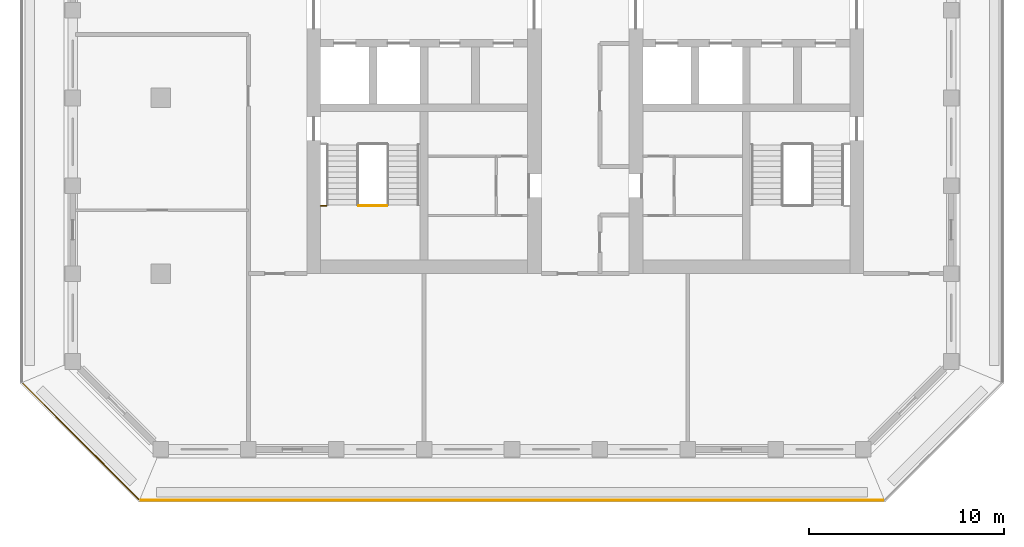
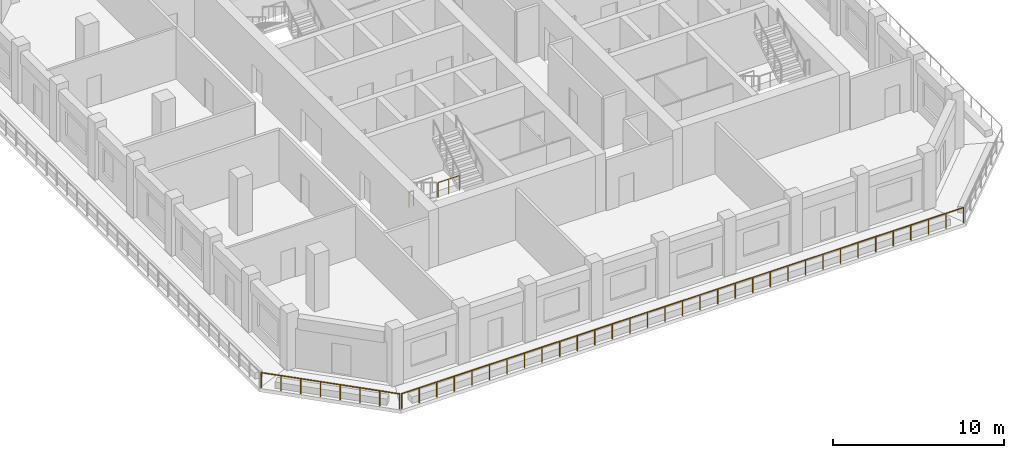
# One storey, part 8 of 14: 4 railings.
"""IFC4 building model written with IfcOpenShell, lengths in metres."""

from ifc_helpers import new_model, si_unit, direction, frame, origin, origin_2d, place, context, subcontext, project, spatial, circle, extrude, material, type_object, element, save


model = new_model("IFC4")

# Units and contexts
model_context = context("Model", 3, precision=1e-05, world=origin(), true_north=direction((0.0, 1.0)))
body_context = subcontext(model_context, "Body", "Model", "MODEL_VIEW")
ifc_project = project(units=[si_unit("LENGTHUNIT", "METRE"), si_unit("AREAUNIT", "SQUARE_METRE"), si_unit("VOLUMEUNIT", "CUBIC_METRE"), si_unit("PLANEANGLEUNIT", "RADIAN"), si_unit("MASSUNIT", "GRAM", prefix="KILO")], contexts=[model_context])

# Site, building, storey
site_placement = place(None, origin())
site = spatial("IfcSite", under=ifc_project, at=site_placement, CompositionType="ELEMENT")
building_placement = place(site_placement, origin())
building = spatial("IfcBuilding", under=site, at=building_placement, Name="Corbel Stack Research Tower", CompositionType="ELEMENT")
storey_placement = place(building_placement, frame((0.0, 0.0, 270.39990234375)))
storey = spatial("IfcBuildingStorey", under=building, at=storey_placement, Name="L61", CompositionType="ELEMENT", Elevation=270.39990234375)

# Railings
ifc_material_1 = material(Name="Steel S355", Category="steel")
railing_type_1 = type_object("IfcRailingType", Name="Stair guard 1100", PredefinedType="GUARDRAIL", material=ifc_material_1)
railing_1_placement = place(storey_placement, frame((-7.85009765625, -5.530029296875, 2.050048828125)))
element("IfcRailing", 1, at=railing_1_placement, inside=storey, type_object=railing_type_1, Name="L61 ST-W1 stair guard 2", PredefinedType="GUARDRAIL", context=body_context, shape_type="SweptSolid", body=[
    extrude(circle(Radius=0.02392578125, at=origin_2d()), frame((0.0, 0.0, 1.076171875), z_axis=(1.0, 0.0, 0.0), x_axis=(0.0, 1.0, 0.0)), (0.0, 0.0, 1.0), 1.4501953125),
    extrude(circle(Radius=0.02099609375, at=origin_2d()), origin(), (0.0, 0.0, 1.0), 1.052001953125),
    extrude(circle(Radius=0.02099609375, at=origin_2d()), frame((0.72509765625, 0.0, 0.0)), (0.0, 0.0, 1.0), 1.052001953125),
    extrude(circle(Radius=0.02099609375, at=origin_2d()), frame((1.4501953125, 0.0, 0.0)), (0.0, 0.0, 1.0), 1.052001953125),
])
railing_2_placement = place(storey_placement, frame((-9.800048828125, -5.530029296875, 2.050048828125)))
element("IfcRailing", 2, at=railing_2_placement, inside=storey, type_object=railing_type_1, Name="L61 ST-W1 stair guard 3", PredefinedType="GUARDRAIL", context=body_context, shape_type="SweptSolid", body=[
    extrude(circle(Radius=0.02392578125, at=origin_2d()), frame((0.0, 0.0, 1.076171875), z_axis=(1.0, 0.0, 0.0), x_axis=(0.0, 1.0, 0.0)), (0.0, 0.0, 1.0), 0.300048828125),
    extrude(circle(Radius=0.02099609375, at=origin_2d()), origin(), (0.0, 0.0, 1.0), 1.052001953125),
    extrude(circle(Radius=0.02099609375, at=origin_2d()), frame((0.300048828125, 0.0, 0.0)), (0.0, 0.0, 1.0), 1.052001953125),
])
ifc_material_2 = material(Name="Powder-coated steel guard", Category="steel")
railing_type_2 = type_object("IfcRailingType", Name="Steel and glass guard 1100", PredefinedType="GUARDRAIL", material=ifc_material_2)
railing_3_placement = place(storey_placement, frame((-19.00537109375, -20.60009765625, 0.0)))
element("IfcRailing", 3, at=railing_3_placement, inside=storey, type_object=railing_type_2, Name="Loggia guard L61 S", PredefinedType="GUARDRAIL", context=body_context, shape_type="SweptSolid", body=[
    extrude(circle(Radius=0.02392578125, at=origin_2d()), frame((0.0, 0.0, 1.076171875), z_axis=(1.0, 0.0, 0.0), x_axis=(0.0, 1.0, 0.0)), (0.0, 0.0, 1.0), 38.0107421875),
    extrude(circle(Radius=0.02099609375, at=origin_2d()), origin(), (0.0, 0.0, 1.0), 1.052001953125),
    extrude(circle(Radius=0.02099609375, at=origin_2d()), frame((1.187744140625, 0.0, 0.0)), (0.0, 0.0, 1.0), 1.052001953125),
    extrude(circle(Radius=0.02099609375, at=origin_2d()), frame((2.375732421875, 0.0, 0.0)), (0.0, 0.0, 1.0), 1.052001953125),
    extrude(circle(Radius=0.02099609375, at=origin_2d()), frame((3.5634765625, 0.0, 0.0)), (0.0, 0.0, 1.0), 1.052001953125),
    extrude(circle(Radius=0.02099609375, at=origin_2d()), frame((4.75146484375, 0.0, 0.0)), (0.0, 0.0, 1.0), 1.052001953125),
    extrude(circle(Radius=0.02099609375, at=origin_2d()), frame((5.939208984375, 0.0, 0.0)), (0.0, 0.0, 1.0), 1.052001953125),
    extrude(circle(Radius=0.02099609375, at=origin_2d()), frame((7.126953125, 0.0, 0.0)), (0.0, 0.0, 1.0), 1.052001953125),
    extrude(circle(Radius=0.02099609375, at=origin_2d()), frame((8.31494140625, 0.0, 0.0)), (0.0, 0.0, 1.0), 1.052001953125),
    extrude(circle(Radius=0.02099609375, at=origin_2d()), frame((9.502685546875, 0.0, 0.0)), (0.0, 0.0, 1.0), 1.052001953125),
    extrude(circle(Radius=0.02099609375, at=origin_2d()), frame((10.6904296875, 0.0, 0.0)), (0.0, 0.0, 1.0), 1.052001953125),
    extrude(circle(Radius=0.02099609375, at=origin_2d()), frame((11.87841796875, 0.0, 0.0)), (0.0, 0.0, 1.0), 1.052001953125),
    extrude(circle(Radius=0.02099609375, at=origin_2d()), frame((13.066162109375, 0.0, 0.0)), (0.0, 0.0, 1.0), 1.052001953125),
    extrude(circle(Radius=0.02099609375, at=origin_2d()), frame((14.25390625, 0.0, 0.0)), (0.0, 0.0, 1.0), 1.052001953125),
    extrude(circle(Radius=0.02099609375, at=origin_2d()), frame((15.44189453125, 0.0, 0.0)), (0.0, 0.0, 1.0), 1.052001953125),
    extrude(circle(Radius=0.02099609375, at=origin_2d()), frame((16.629638671875, 0.0, 0.0)), (0.0, 0.0, 1.0), 1.052001953125),
    extrude(circle(Radius=0.02099609375, at=origin_2d()), frame((17.817626953125, 0.0, 0.0)), (0.0, 0.0, 1.0), 1.052001953125),
    extrude(circle(Radius=0.02099609375, at=origin_2d()), frame((19.00537109375, 0.0, 0.0)), (0.0, 0.0, 1.0), 1.052001953125),
    extrude(circle(Radius=0.02099609375, at=origin_2d()), frame((20.193115234375, 0.0, 0.0)), (0.0, 0.0, 1.0), 1.052001953125),
    extrude(circle(Radius=0.02099609375, at=origin_2d()), frame((21.381103515625, 0.0, 0.0)), (0.0, 0.0, 1.0), 1.052001953125),
    extrude(circle(Radius=0.02099609375, at=origin_2d()), frame((22.56884765625, 0.0, 0.0)), (0.0, 0.0, 1.0), 1.052001953125),
    extrude(circle(Radius=0.02099609375, at=origin_2d()), frame((23.7568359375, 0.0, 0.0)), (0.0, 0.0, 1.0), 1.052001953125),
    extrude(circle(Radius=0.02099609375, at=origin_2d()), frame((24.944580078125, 0.0, 0.0)), (0.0, 0.0, 1.0), 1.052001953125),
    extrude(circle(Radius=0.02099609375, at=origin_2d()), frame((26.13232421875, 0.0, 0.0)), (0.0, 0.0, 1.0), 1.052001953125),
    extrude(circle(Radius=0.02099609375, at=origin_2d()), frame((27.3203125, 0.0, 0.0)), (0.0, 0.0, 1.0), 1.052001953125),
    extrude(circle(Radius=0.02099609375, at=origin_2d()), frame((28.508056640625, 0.0, 0.0)), (0.0, 0.0, 1.0), 1.052001953125),
    extrude(circle(Radius=0.02099609375, at=origin_2d()), frame((29.69580078125, 0.0, 0.0)), (0.0, 0.0, 1.0), 1.052001953125),
    extrude(circle(Radius=0.02099609375, at=origin_2d()), frame((30.8837890625, 0.0, 0.0)), (0.0, 0.0, 1.0), 1.052001953125),
    extrude(circle(Radius=0.02099609375, at=origin_2d()), frame((32.071533203125, 0.0, 0.0)), (0.0, 0.0, 1.0), 1.052001953125),
    extrude(circle(Radius=0.02099609375, at=origin_2d()), frame((33.25927734375, 0.0, 0.0)), (0.0, 0.0, 1.0), 1.052001953125),
    extrude(circle(Radius=0.02099609375, at=origin_2d()), frame((34.447265625, 0.0, 0.0)), (0.0, 0.0, 1.0), 1.052001953125),
    extrude(circle(Radius=0.02099609375, at=origin_2d()), frame((35.635009765625, 0.0, 0.0)), (0.0, 0.0, 1.0), 1.052001953125),
    extrude(circle(Radius=0.02099609375, at=origin_2d()), frame((36.822998046875, 0.0, 0.0)), (0.0, 0.0, 1.0), 1.052001953125),
    extrude(circle(Radius=0.02099609375, at=origin_2d()), frame((38.0107421875, 0.0, 0.0)), (0.0, 0.0, 1.0), 1.052001953125),
])
railing_4_placement = place(storey_placement, frame((-25.04931640625, -14.627685546875, 0.0)))
element("IfcRailing", 4, at=railing_4_placement, inside=storey, type_object=railing_type_2, Name="Loggia guard L61 SW", PredefinedType="GUARDRAIL", context=body_context, shape_type="SweptSolid", body=[
    extrude(circle(Radius=0.02392578125, at=origin_2d()), frame((0.0, 0.0, 1.076171875), z_axis=(0.707106781187, -0.707106781187, 0.0), x_axis=(0.707106781187, 0.707106781187, 0.0)), (0.0, 0.0, 1.0), 8.37451171875),
    extrude(circle(Radius=0.02099609375, at=origin_2d()), origin(), (0.0, 0.0, 1.0), 1.052001953125),
    extrude(circle(Radius=0.02099609375, at=origin_2d()), frame((0.845947265625, -0.845947265625, 0.0)), (0.0, 0.0, 1.0), 1.052001953125),
    extrude(circle(Radius=0.02099609375, at=origin_2d()), frame((1.69189453125, -1.69189453125, 0.0)), (0.0, 0.0, 1.0), 1.052001953125),
    extrude(circle(Radius=0.02099609375, at=origin_2d()), frame((2.537841796875, -2.537841796875, 0.0)), (0.0, 0.0, 1.0), 1.052001953125),
    extrude(circle(Radius=0.02099609375, at=origin_2d()), frame((3.3837890625, -3.3837890625, 0.0)), (0.0, 0.0, 1.0), 1.052001953125),
    extrude(circle(Radius=0.02099609375, at=origin_2d()), frame((4.229736328125, -4.229736328125, 0.0)), (0.0, 0.0, 1.0), 1.052001953125),
    extrude(circle(Radius=0.02099609375, at=origin_2d()), frame((5.07568359375, -5.07568359375, 0.0)), (0.0, 0.0, 1.0), 1.052001953125),
    extrude(circle(Radius=0.02099609375, at=origin_2d()), frame((5.921630859375, -5.921630859375, 0.0)), (0.0, 0.0, 1.0), 1.052001953125),
])

save(model, "model.ifc")
